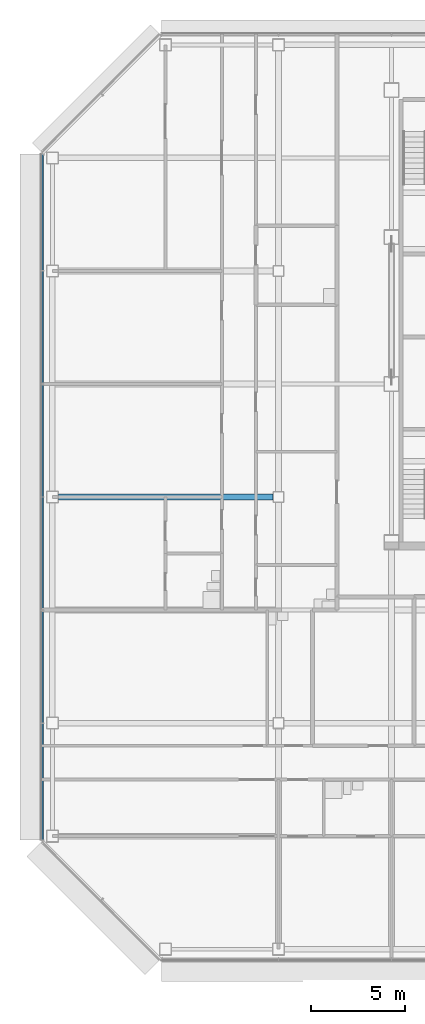
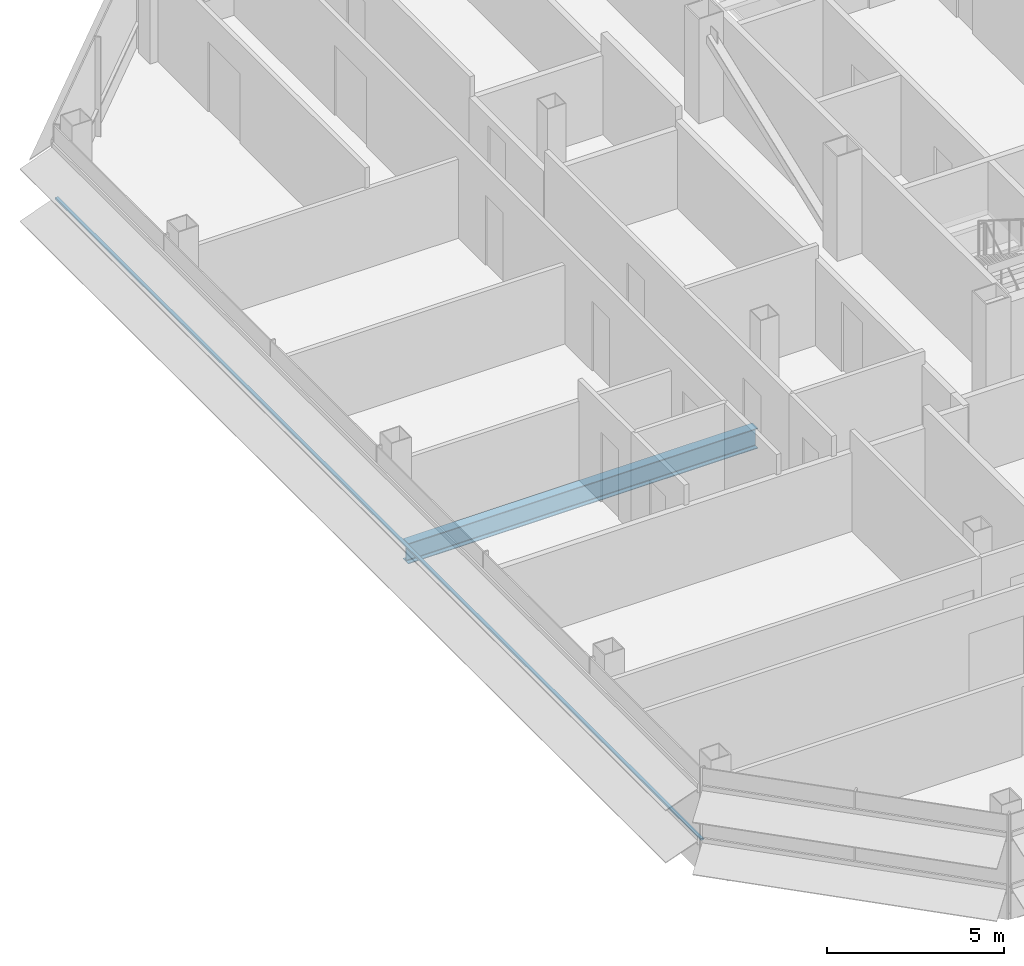
# One storey, part 5 of 26: 1 beam, 1 member, 1 element without a shape of its own.
"""IFC4 building model written with IfcOpenShell, lengths in metres."""

import ifcopenshell
import ifcopenshell.guid

model = None  # the IFC model being written
_history = None  # IfcOwnerHistory: only IFC2X3 demands one
_inside = {}  # id of a spatial element -> (the spatial element, [elements in it])
_under = {}  # id of a project, library or spatial element -> (it, [spatial elements below it])
_declared = {}  # id of a project -> (the project, [libraries it declares])
_typed = {}  # id of a type object -> (the type object, [elements of that type])
_made_of = {}  # id of a material, layer set ... -> (it, [elements and type objects made of it])


def new_model(schema):
    """Start an empty IFC model of exactly this schema.

    Asked for "IFC4X3", IfcOpenShell would pick the latest addendum, in which some entities
    have other attributes; the version numbers below select the first issue.
    IFC2X3 requires an IfcOwnerHistory on every rooted entity: one is made here for all.
    """
    global model, _history
    if schema == "IFC4X3":
        model = ifcopenshell.file(schema_version=(4, 3, 0, 0))
    else:
        model = ifcopenshell.file(schema=schema)
    _inside.clear()
    _under.clear()
    _declared.clear()
    _typed.clear()
    _made_of.clear()
    _history = None
    if model.schema == "IFC2X3":
        org = make("IfcOrganization", Name="unknown")
        user = make(
            "IfcPersonAndOrganization",
            ThePerson=make("IfcPerson", FamilyName="unknown"),
            TheOrganization=org,
        )
        app = make(
            "IfcApplication",
            ApplicationDeveloper=org,
            Version="unknown",
            ApplicationFullName="unknown",
            ApplicationIdentifier="unknown",
        )
        _history = make(
            "IfcOwnerHistory",
            OwningUser=user,
            OwningApplication=app,
            ChangeAction="ADDED",
            CreationDate=0,
        )
    return model


def make(cls, **values):
    """One entity of the class cls with the attributes given. An attribute that is None is left unset."""
    return model.create_entity(
        cls, **{name: value for name, value in values.items() if value is not None}
    )


def rooted(cls, **values):
    """An entity with a GlobalId (a new one), such as an element, a storey or a relation."""
    return make(cls, GlobalId=ifcopenshell.guid.new(), OwnerHistory=_history, **values)


def si_unit(unit_type, name, prefix=None):
    """IfcSIUnit, for example si_unit("LENGTHUNIT", "METRE", prefix="MILLI")."""
    return make("IfcSIUnit", UnitType=unit_type, Prefix=prefix, Name=name)


def assignment(units):
    """IfcUnitAssignment: the units of a project."""
    return None if units is None else make("IfcUnitAssignment", Units=units)


def point(xyz):
    """IfcCartesianPoint."""
    return None if xyz is None else make("IfcCartesianPoint", Coordinates=xyz)


def direction(xyz):
    """IfcDirection."""
    return None if xyz is None else make("IfcDirection", DirectionRatios=xyz)


def frame(location, z_axis=None, x_axis=None):
    """IfcAxis2Placement3D, a coordinate frame: its origin and axes. An axis left out is left unset."""
    return make(
        "IfcAxis2Placement3D",
        Location=point(location),
        Axis=direction(z_axis),
        RefDirection=direction(x_axis),
    )


def frame_2d(location, x_axis=None):
    """IfcAxis2Placement2D, a coordinate frame in the plane: its origin and x axis."""
    return make(
        "IfcAxis2Placement2D", Location=point(location), RefDirection=direction(x_axis)
    )


def origin():
    """The frame at (0, 0, 0) with its axes left unset."""
    return frame((0.0, 0.0, 0.0))


def origin_2d():
    """The frame at (0, 0) in the plane with its x axis left unset."""
    return frame_2d((0.0, 0.0))


def place(relative_to, where):
    """IfcLocalPlacement: puts the frame where relative to a parent placement (None: the world)."""
    return make(
        "IfcLocalPlacement", PlacementRelTo=relative_to, RelativePlacement=where
    )


def context(
    kind, dimensions, precision=None, world=None, true_north=None, identifier=None
):
    """IfcGeometricRepresentationContext, for example the 3D "Model" context."""
    return make(
        "IfcGeometricRepresentationContext",
        ContextIdentifier=identifier,
        ContextType=kind,
        CoordinateSpaceDimension=dimensions,
        Precision=precision,
        WorldCoordinateSystem=world,
        TrueNorth=true_north,
    )


def subcontext(parent, identifier, kind, view, scale=None):
    """IfcGeometricRepresentationSubContext, for example "Body" below "Model"."""
    return make(
        "IfcGeometricRepresentationSubContext",
        ContextIdentifier=identifier,
        ContextType=kind,
        ParentContext=parent,
        TargetScale=scale,
        TargetView=view,
    )


def project(units=None, contexts=None):
    """IfcProject with its units and contexts."""
    return rooted(
        "IfcProject",
        Name="project",
        RepresentationContexts=contexts,
        UnitsInContext=assignment(units),
    )


def spatial(cls, under=None, at=None, **own):
    """A site, building, storey or space (cls), placed at a placement, below another one or the project."""
    s = rooted(cls, ObjectPlacement=at, **own)
    if under is not None:
        _under.setdefault(under.id(), (under, []))[1].append(s)
    return s


def profile(cls, at=None, kind="AREA", **sizes):
    """A parametric profile (cls). Its sizes go by their IFC names, for example OverallWidth=200.0."""
    return make(cls, ProfileType=kind, Position=at, **sizes)


def rectangle(**sizes):
    """IfcRectangleProfileDef."""
    return profile("IfcRectangleProfileDef", **sizes)


def i_section(**sizes):
    """IfcIShapeProfileDef."""
    return profile("IfcIShapeProfileDef", **sizes)


def extrude(swept, where, along, depth):
    """IfcExtrudedAreaSolid: the profile swept, set in the frame where, extruded along a direction by depth."""
    return make(
        "IfcExtrudedAreaSolid",
        SweptArea=swept,
        Position=where,
        ExtrudedDirection=direction(along),
        Depth=depth,
    )


def shape(context_of_items, identifier, shape_type, items):
    """IfcShapeRepresentation: the items that make up one representation, for example the "Body"."""
    return make(
        "IfcShapeRepresentation",
        ContextOfItems=context_of_items,
        RepresentationIdentifier=identifier,
        RepresentationType=shape_type,
        Items=items,
    )


def material(Name=None, Category=None):
    """IfcMaterial."""
    return make("IfcMaterial", Name=Name, Category=Category)


def material_profile(
    of_material, cross_section, Name=None, Category=None, Priority=None
):
    """IfcMaterialProfile: a cross section and its material."""
    return make(
        "IfcMaterialProfile",
        Name=Name,
        Material=of_material,
        Profile=cross_section,
        Priority=Priority,
        Category=Category,
    )


def profile_set(profiles, Name=None, composite=None):
    """IfcMaterialProfileSet."""
    return make(
        "IfcMaterialProfileSet",
        Name=Name,
        MaterialProfiles=profiles,
        CompositeProfile=composite,
    )


def made_of(thing, what):
    """Note that an element or type object is made of a material, layer set ...; save() writes the relation."""
    if what is not None:
        _made_of.setdefault(what.id(), (what, []))[1].append(thing)
    return thing


def type_object(cls, material=None, **own):
    """A type object (cls), such as IfcWallType, which elements share."""
    return made_of(rooted(cls, **own), material)


def element(
    cls,
    number,
    at=None,
    inside=None,
    cuts=None,
    type_object=None,
    material=None,
    context=None,
    identifier="Body",
    shape_type=None,
    held_by="IfcProductDefinitionShape",
    body=None,
    shapes=None,
    **own,
):
    """One element of the class cls, such as IfcWall. Its Tag is "e" and its number.

    at: its placement. inside: the storey or other place that contains it. cuts: it is an
    opening in that element (IfcRelVoidsElement). A single representation is given by context,
    identifier, shape_type and body (its items); several are given by shapes. held_by: the class
    of the entity that holds the representations. save() writes the other relations.
    """
    e = rooted(cls, Tag="e%d" % number, ObjectPlacement=at, **own)
    if body is not None:
        shapes = [shape(context, identifier, shape_type, body)]
    if shapes is not None:
        e.Representation = make(held_by, Representations=shapes)
    if inside is not None:
        _inside.setdefault(inside.id(), (inside, []))[1].append(e)
    if cuts is not None:
        rooted(
            "IfcRelVoidsElement", RelatingBuildingElement=cuts, RelatedOpeningElement=e
        )
    if type_object is not None:
        _typed.setdefault(type_object.id(), (type_object, []))[1].append(e)
    return made_of(e, material)


def aggregate(whole, parts):
    """IfcRelAggregates: a whole, such as a stair, and the parts it consists of."""
    return rooted("IfcRelAggregates", RelatingObject=whole, RelatedObjects=parts)


def save(model, path):
    """Write the relations noted so far, then the file.

    IfcRelAggregates (storeys below a building ...), IfcRelContainedInSpatialStructure (elements
    in a storey), IfcRelDefinesByType, IfcRelAssociatesMaterial and IfcRelDeclares: one each for
    every whole, place, type object, material and project.
    """
    for whole, parts in _under.values():
        aggregate(whole, parts)
    for where, things in _inside.values():
        rooted(
            "IfcRelContainedInSpatialStructure",
            RelatedElements=things,
            RelatingStructure=where,
        )
    for kind, things in _typed.values():
        rooted("IfcRelDefinesByType", RelatedObjects=things, RelatingType=kind)
    for what, things in _made_of.values():
        rooted("IfcRelAssociatesMaterial", RelatedObjects=things, RelatingMaterial=what)
    for by, libraries in _declared.values():
        rooted("IfcRelDeclares", RelatingContext=by, RelatedDefinitions=libraries)
    model.write(path)


model = new_model("IFC4")

# Units and contexts
model_context = context("Model", 3, precision=1e-05, world=origin(), true_north=direction((0.0, 1.0)))
body_context = subcontext(model_context, "Body", "Model", "MODEL_VIEW")
ifc_project = project(units=[si_unit("LENGTHUNIT", "METRE"), si_unit("AREAUNIT", "SQUARE_METRE"), si_unit("VOLUMEUNIT", "CUBIC_METRE"), si_unit("PLANEANGLEUNIT", "RADIAN"), si_unit("MASSUNIT", "GRAM", prefix="KILO")], contexts=[model_context])

# Site, building, storey
site_placement = place(None, origin())
site = spatial("IfcSite", under=ifc_project, at=site_placement, CompositionType="ELEMENT")
building_placement = place(site_placement, origin())
building = spatial("IfcBuilding", under=site, at=building_placement, Name="Sorahane Residences", CompositionType="ELEMENT")
storey_placement = place(building_placement, frame((0.0, 0.0, 215.39990234375)))
storey = spatial("IfcBuildingStorey", under=building, at=storey_placement, Name="L50", CompositionType="ELEMENT", Elevation=215.39990234375)

# Curtain wall, member
ifc_material_1 = material(Name="Dark low-e glass and black anodised aluminium", Category="aluminium")
curtain_wall_type = type_object("IfcCurtainWallType", Name="Curtain wall CW-1 Typical unitised wall", PredefinedType="NOTDEFINED", material=ifc_material_1)
curtain_wall_placement = place(storey_placement, origin())
curtain_wall = element("IfcCurtainWall", 1, at=curtain_wall_placement, inside=storey, type_object=curtain_wall_type, Name="CW-1 curtain wall L50 W1", PredefinedType="NOTDEFINED")
ifc_material_2 = material(Name="Black anodised aluminium", Category="aluminium")
ifc_material_profile_1 = material_profile(ifc_material_2, rectangle(XDim=0.10009765625, YDim=0.06005859375, at=origin_2d()), Name="Curtain wall transom CW-1 black anodised aluminium 60x100")
ifc_profile_set_1 = profile_set([ifc_material_profile_1], Name="Black anodised aluminium")
member_type = type_object("IfcMemberType", Name="Curtain wall transom CW-1 black anodised aluminium 60x100", PredefinedType="USERDEFINED", material=ifc_profile_set_1)
member_placement = place(storey_placement, frame((-12.530029296875, 42.198486328125, 0.900146484375), z_axis=(0.0, -1.0, 0.0), x_axis=(1.0, 0.0, 0.0)))
member = element("IfcMember", 2, at=member_placement, type_object=member_type, Name="CW-1 transom L50 W1", ObjectType="TRANSOM", PredefinedType="USERDEFINED", context=body_context, shape_type="SweptSolid", body=[
    extrude(rectangle(XDim=0.10009765625, YDim=0.06005859375, at=origin_2d()), origin(), (0.0, 0.0, 1.0), 36.39697265625),
])
aggregate(curtain_wall, [member])

# Beam
ifc_material_3 = material(Name="Steel Q355B", Category="steel")
ifc_material_profile_2 = material_profile(ifc_material_3, i_section(OverallWidth=0.300048828125, OverallDepth=0.699951171875, WebThickness=0.012939453125, FlangeThickness=0.02392578125, FilletRadius=0.028076171875, at=origin_2d()), Name="HN 700x300x13x24")
ifc_profile_set_2 = profile_set([ifc_material_profile_2], Name="Steel Q355B")
beam_type = type_object("IfcBeamType", Name="Steel floor beam HN 700x300x13x24 Q355B", PredefinedType="BEAM", material=ifc_profile_set_2)
beam_placement = place(storey_placement, frame((-11.675048828125, 24.0, -0.52978515625), z_axis=(1.0, 0.0, 0.0), x_axis=(0.0, 1.0, 0.0)))
element("IfcBeam", 3, at=beam_placement, inside=storey, type_object=beam_type, Name="Beam L50 011", PredefinedType="BEAM", context=body_context, shape_type="SweptSolid", body=[
    extrude(i_section(OverallWidth=0.300048828125, OverallDepth=0.699951171875, WebThickness=0.012939453125, FlangeThickness=0.02392578125, FilletRadius=0.028076171875, at=origin_2d()), origin(), (0.0, 0.0, 1.0), 11.375),
])

save(model, "model.ifc")
